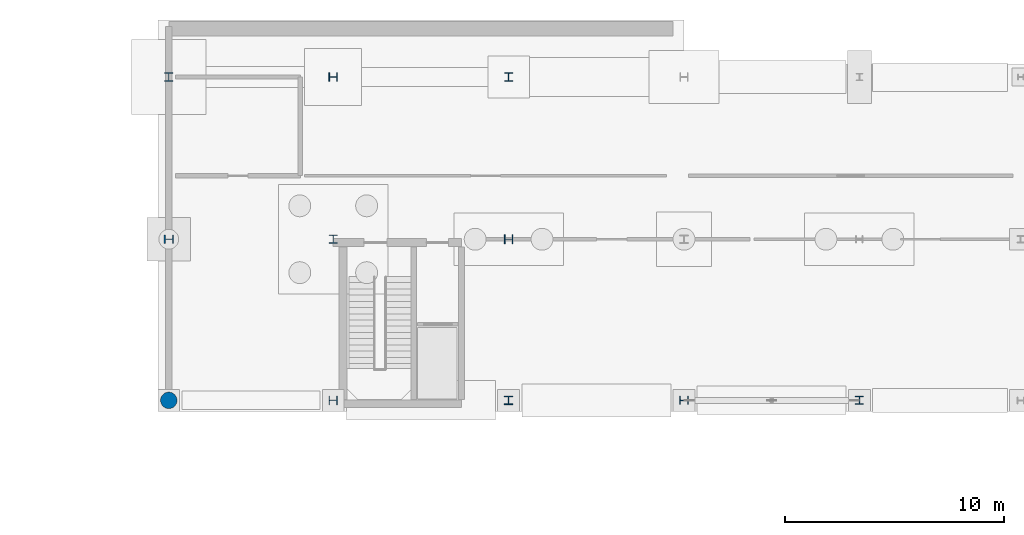
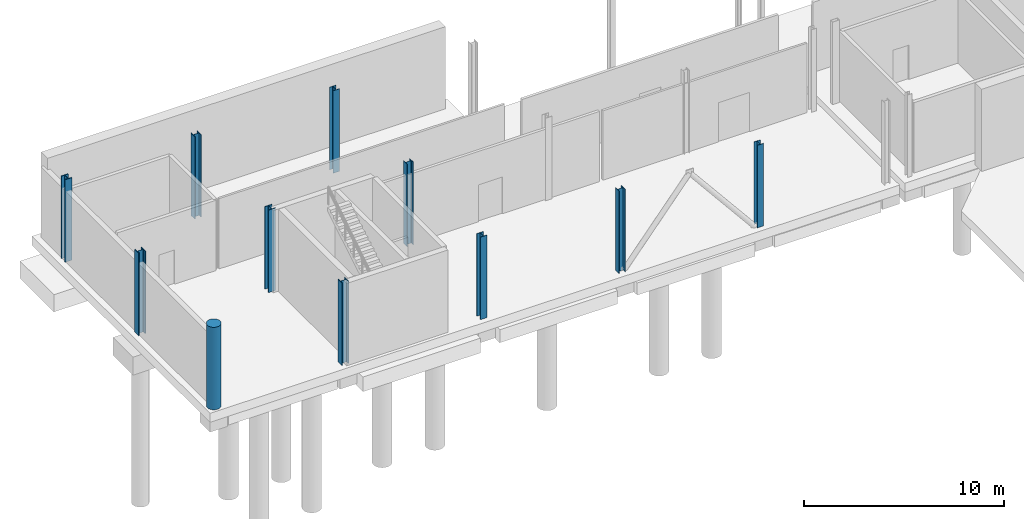
# One storey, part 13 of 33: 11 columns.
"""IFC4 building model written with IfcOpenShell, lengths in metres."""

from ifc_helpers import new_model, si_unit, direction, frame, origin, origin_2d, place, context, subcontext, project, spatial, circle, i_section, extrude, material, material_profile, profile_set, type_object, element, save


model = new_model("IFC4")

# Units and contexts
model_context = context("Model", 3, precision=1e-05, world=origin(), true_north=direction((0.0, 1.0)))
body_context = subcontext(model_context, "Body", "Model", "MODEL_VIEW")
ifc_project = project(units=[si_unit("LENGTHUNIT", "METRE"), si_unit("AREAUNIT", "SQUARE_METRE"), si_unit("VOLUMEUNIT", "CUBIC_METRE"), si_unit("PLANEANGLEUNIT", "RADIAN"), si_unit("MASSUNIT", "GRAM", prefix="KILO")], contexts=[model_context])

# Site, building, storey
site_placement = place(None, origin())
site = spatial("IfcSite", under=ifc_project, at=site_placement, CompositionType="ELEMENT")
building_placement = place(site_placement, origin())
building = spatial("IfcBuilding", under=site, at=building_placement, Name="Brisemont Oceanarium", CompositionType="ELEMENT")
storey_placement = place(building_placement, frame((0.0, 0.0, -5.39990234375)))
storey = spatial("IfcBuildingStorey", under=building, at=storey_placement, Name="B01", CompositionType="ELEMENT", Elevation=-5.39990234375)

# Columns
ifc_material_1 = material(Name="Concrete C40/50", Category="concrete")
ifc_material_profile_1 = material_profile(ifc_material_1, circle(Radius=0.375, at=origin_2d()), Name="RC-COL-D750")
ifc_profile_set_1 = profile_set([ifc_material_profile_1], Name="Concrete C40/50")
column_type_1 = type_object("IfcColumnType", Name="COL-RCD750", PredefinedType="COLUMN", material=ifc_profile_set_1)
column_1_placement = place(storey_placement, frame((16.5, 80.64990234375, 0.0), z_axis=(0.0, 0.0, 1.0), x_axis=(1.0, 0.0, 0.0)))
element("IfcColumn", 1, at=column_1_placement, inside=storey, type_object=column_type_1, Name="V7W B01 column (0,0)", PredefinedType="COLUMN", context=body_context, shape_type="SweptSolid", body=[
    extrude(circle(Radius=0.375, at=origin_2d()), origin(), (0.0, 0.0, 1.0), 5.039794921875),
])
ifc_material_2 = material(Name="Structural Steel ASTM A992 Gr.50", Category="steel")
ifc_material_profile_2 = material_profile(ifc_material_2, i_section(OverallWidth=0.373046875, OverallDepth=0.367919921875, WebThickness=0.014892578125, FlangeThickness=0.02392578125, FilletRadius=0.014892578125, at=origin_2d()), Name="W14X120")
ifc_profile_set_2 = profile_set([ifc_material_profile_2], Name="Structural Steel ASTM A992 Gr.50")
column_type_2 = type_object("IfcColumnType", Name="COL-W14X120", PredefinedType="COLUMN", material=ifc_profile_set_2)
column_2_placement = place(storey_placement, frame((40.0, 80.64990234375, 0.0), z_axis=(0.0, 0.0, 1.0), x_axis=(0.0, 1.0, 0.0)))
element("IfcColumn", 2, at=column_2_placement, inside=storey, type_object=column_type_2, Name="V7W B01 column (3,0)", PredefinedType="COLUMN", context=body_context, shape_type="SweptSolid", body=[
    extrude(i_section(OverallWidth=0.373046875, OverallDepth=0.367919921875, WebThickness=0.014892578125, FlangeThickness=0.02392578125, FilletRadius=0.014892578125, at=origin_2d()), origin(), (0.0, 0.0, 1.0), 5.039794921875),
])
ifc_material_3 = material(Name="Structural Steel ASTM A992 Gr.50", Category="steel")
ifc_material_profile_3 = material_profile(ifc_material_3, i_section(OverallWidth=0.3740234375, OverallDepth=0.3720703125, WebThickness=0.016357421875, FlangeThickness=0.026123046875, FilletRadius=0.014892578125, at=origin_2d()), Name="W14X132")
ifc_profile_set_3 = profile_set([ifc_material_profile_3], Name="Structural Steel ASTM A992 Gr.50")
column_type_3 = type_object("IfcColumnType", Name="COL-W14X132", PredefinedType="COLUMN", material=ifc_profile_set_3)
column_3_placement = place(storey_placement, frame((32.0, 95.39990234375, 0.0), z_axis=(0.0, 0.0, 1.0), x_axis=(1.0, 0.0, 0.0)))
element("IfcColumn", 3, at=column_3_placement, inside=storey, type_object=column_type_3, Name="V7W B01 column (2,2)", PredefinedType="COLUMN", context=body_context, shape_type="SweptSolid", body=[
    extrude(i_section(OverallWidth=0.3740234375, OverallDepth=0.3720703125, WebThickness=0.016357421875, FlangeThickness=0.026123046875, FilletRadius=0.014892578125, at=origin_2d()), origin(), (0.0, 0.0, 1.0), 5.039794921875),
])
ifc_material_4 = material(Name="Structural Steel ASTM A992 Gr.50", Category="steel")
ifc_material_profile_4 = material_profile(ifc_material_4, i_section(OverallWidth=0.39404296875, OverallDepth=0.3759765625, WebThickness=0.017333984375, FlangeThickness=0.027587890625, FilletRadius=0.014892578125, at=origin_2d()), Name="W14X145")
ifc_profile_set_4 = profile_set([ifc_material_profile_4], Name="Structural Steel ASTM A992 Gr.50")
column_type_4 = type_object("IfcColumnType", Name="COL-W14X145", PredefinedType="COLUMN", material=ifc_profile_set_4)
column_4_placement = place(storey_placement, frame((32.0, 88.0, 0.0), z_axis=(0.0, 0.0, 1.0), x_axis=(0.0, 1.0, 0.0)))
element("IfcColumn", 4, at=column_4_placement, inside=storey, type_object=column_type_4, Name="V7W B01 column (2,1)", PredefinedType="COLUMN", context=body_context, shape_type="SweptSolid", body=[
    extrude(i_section(OverallWidth=0.39404296875, OverallDepth=0.3759765625, WebThickness=0.017333984375, FlangeThickness=0.027587890625, FilletRadius=0.014892578125, at=origin_2d()), origin(), (0.0, 0.0, 1.0), 5.039794921875),
])
ifc_material_5 = material(Name="Structural Steel ASTM A992 Gr.50", Category="steel")
ifc_material_profile_5 = material_profile(ifc_material_5, i_section(OverallWidth=0.39501953125, OverallDepth=0.3798828125, WebThickness=0.018798828125, FlangeThickness=0.0302734375, FilletRadius=0.014892578125, at=origin_2d()), Name="W14X159")
ifc_profile_set_5 = profile_set([ifc_material_profile_5], Name="Structural Steel ASTM A992 Gr.50")
column_type_5 = type_object("IfcColumnType", Name="COL-W14X159", PredefinedType="COLUMN", material=ifc_profile_set_5)
column_5_placement = place(storey_placement, frame((32.0, 80.64990234375, 0.0), z_axis=(0.0, 0.0, 1.0), x_axis=(1.0, 0.0, 0.0)))
element("IfcColumn", 5, at=column_5_placement, inside=storey, type_object=column_type_5, Name="V7W B01 column (2,0)", PredefinedType="COLUMN", context=body_context, shape_type="SweptSolid", body=[
    extrude(i_section(OverallWidth=0.39501953125, OverallDepth=0.3798828125, WebThickness=0.018798828125, FlangeThickness=0.0302734375, FilletRadius=0.014892578125, at=origin_2d()), origin(), (0.0, 0.0, 1.0), 5.039794921875),
])
ifc_material_6 = material(Name="Structural Steel ASTM A992 Gr.50", Category="steel")
ifc_material_profile_6 = material_profile(ifc_material_6, i_section(OverallWidth=0.39892578125, OverallDepth=0.385986328125, WebThickness=0.02099609375, FlangeThickness=0.033203125, FilletRadius=0.014892578125, at=origin_2d()), Name="W14X176")
ifc_profile_set_6 = profile_set([ifc_material_profile_6], Name="Structural Steel ASTM A992 Gr.50")
column_type_6 = type_object("IfcColumnType", Name="COL-W14X176", PredefinedType="COLUMN", material=ifc_profile_set_6)
column_6_placement = place(storey_placement, frame((24.0, 95.39990234375, 0.0), z_axis=(0.0, 0.0, 1.0), x_axis=(0.0, 1.0, 0.0)))
element("IfcColumn", 6, at=column_6_placement, inside=storey, type_object=column_type_6, Name="V7W B01 column (1,2)", PredefinedType="COLUMN", context=body_context, shape_type="SweptSolid", body=[
    extrude(i_section(OverallWidth=0.39892578125, OverallDepth=0.385986328125, WebThickness=0.02099609375, FlangeThickness=0.033203125, FilletRadius=0.014892578125, at=origin_2d()), origin(), (0.0, 0.0, 1.0), 5.039794921875),
])
ifc_material_7 = material(Name="Structural Steel ASTM A992 Gr.50", Category="steel")
ifc_material_profile_7 = material_profile(ifc_material_7, i_section(OverallWidth=0.39990234375, OverallDepth=0.39306640625, WebThickness=0.022705078125, FlangeThickness=0.03662109375, FilletRadius=0.014892578125, at=origin_2d()), Name="W14X193")
ifc_profile_set_7 = profile_set([ifc_material_profile_7], Name="Structural Steel ASTM A992 Gr.50")
column_type_7 = type_object("IfcColumnType", Name="COL-W14X193", PredefinedType="COLUMN", material=ifc_profile_set_7)
column_7_placement = place(storey_placement, frame((24.0, 88.0, 0.0), z_axis=(0.0, 0.0, 1.0), x_axis=(1.0, 0.0, 0.0)))
element("IfcColumn", 7, at=column_7_placement, inside=storey, type_object=column_type_7, Name="V7W B01 column (1,1)", PredefinedType="COLUMN", context=body_context, shape_type="SweptSolid", body=[
    extrude(i_section(OverallWidth=0.39990234375, OverallDepth=0.39306640625, WebThickness=0.022705078125, FlangeThickness=0.03662109375, FilletRadius=0.014892578125, at=origin_2d()), origin(), (0.0, 0.0, 1.0), 5.039794921875),
])
ifc_material_8 = material(Name="Structural Steel ASTM A992 Gr.50", Category="steel")
ifc_material_profile_8 = material_profile(ifc_material_8, i_section(OverallWidth=0.40087890625, OverallDepth=0.39892578125, WebThickness=0.02490234375, FlangeThickness=0.03955078125, FilletRadius=0.014892578125, at=origin_2d()), Name="W14X211")
ifc_profile_set_8 = profile_set([ifc_material_profile_8], Name="Structural Steel ASTM A992 Gr.50")
column_type_8 = type_object("IfcColumnType", Name="COL-W14X211", PredefinedType="COLUMN", material=ifc_profile_set_8)
column_8_placement = place(storey_placement, frame((24.0, 80.64990234375, 0.0), z_axis=(0.0, 0.0, 1.0), x_axis=(0.0, 1.0, 0.0)))
element("IfcColumn", 8, at=column_8_placement, inside=storey, type_object=column_type_8, Name="V7W B01 column (1,0)", PredefinedType="COLUMN", context=body_context, shape_type="SweptSolid", body=[
    extrude(i_section(OverallWidth=0.40087890625, OverallDepth=0.39892578125, WebThickness=0.02490234375, FlangeThickness=0.03955078125, FilletRadius=0.014892578125, at=origin_2d()), origin(), (0.0, 0.0, 1.0), 5.039794921875),
])
ifc_material_9 = material(Name="Structural Steel ASTM A992 Gr.50", Category="steel")
ifc_material_profile_9 = material_profile(ifc_material_9, i_section(OverallWidth=0.404052734375, OverallDepth=0.406982421875, WebThickness=0.027099609375, FlangeThickness=0.043701171875, FilletRadius=0.014892578125, at=origin_2d()), Name="W14X233")
ifc_profile_set_9 = profile_set([ifc_material_profile_9], Name="Structural Steel ASTM A992 Gr.50")
column_type_9 = type_object("IfcColumnType", Name="COL-W14X233", PredefinedType="COLUMN", material=ifc_profile_set_9)
column_9_placement = place(storey_placement, frame((16.5, 95.39990234375, 0.0), z_axis=(0.0, 0.0, 1.0), x_axis=(1.0, 0.0, 0.0)))
element("IfcColumn", 9, at=column_9_placement, inside=storey, type_object=column_type_9, Name="V7W B01 column (0,2)", PredefinedType="COLUMN", context=body_context, shape_type="SweptSolid", body=[
    extrude(i_section(OverallWidth=0.404052734375, OverallDepth=0.406982421875, WebThickness=0.027099609375, FlangeThickness=0.043701171875, FilletRadius=0.014892578125, at=origin_2d()), origin(), (0.0, 0.0, 1.0), 5.039794921875),
])
ifc_material_10 = material(Name="Structural Steel ASTM A992 Gr.50", Category="steel")
ifc_material_profile_10 = material_profile(ifc_material_10, i_section(OverallWidth=0.406005859375, OverallDepth=0.416015625, WebThickness=0.02978515625, FlangeThickness=0.048095703125, FilletRadius=0.014892578125, at=origin_2d()), Name="W14X257")
ifc_profile_set_10 = profile_set([ifc_material_profile_10], Name="Structural Steel ASTM A992 Gr.50")
column_type_10 = type_object("IfcColumnType", Name="COL-W14X257", PredefinedType="COLUMN", material=ifc_profile_set_10)
column_10_placement = place(storey_placement, frame((16.5, 88.0, 0.0), z_axis=(0.0, 0.0, 1.0), x_axis=(0.0, 1.0, 0.0)))
element("IfcColumn", 10, at=column_10_placement, inside=storey, type_object=column_type_10, Name="V7W B01 column (0,1)", PredefinedType="COLUMN", context=body_context, shape_type="SweptSolid", body=[
    extrude(i_section(OverallWidth=0.406005859375, OverallDepth=0.416015625, WebThickness=0.02978515625, FlangeThickness=0.048095703125, FilletRadius=0.014892578125, at=origin_2d()), origin(), (0.0, 0.0, 1.0), 5.039794921875),
])
ifc_material_11 = material(Name="Structural Steel ASTM A992 Gr.50", Category="steel")
ifc_material_profile_11 = material_profile(ifc_material_11, i_section(OverallWidth=0.367919921875, OverallDepth=0.35595703125, WebThickness=0.01123046875, FlangeThickness=0.01806640625, FilletRadius=0.014892578125, at=origin_2d()), Name="W14X90")
ifc_profile_set_11 = profile_set([ifc_material_profile_11], Name="Structural Steel ASTM A992 Gr.50")
column_type_11 = type_object("IfcColumnType", Name="COL-W14X90", PredefinedType="COLUMN", material=ifc_profile_set_11)
column_11_placement = place(storey_placement, frame((48.0, 80.64990234375, 0.0), z_axis=(0.0, 0.0, 1.0), x_axis=(1.0, 0.0, 0.0)))
element("IfcColumn", 11, at=column_11_placement, inside=storey, type_object=column_type_11, Name="V7W B01 column (4,0)", PredefinedType="COLUMN", context=body_context, shape_type="SweptSolid", body=[
    extrude(i_section(OverallWidth=0.367919921875, OverallDepth=0.35595703125, WebThickness=0.01123046875, FlangeThickness=0.01806640625, FilletRadius=0.014892578125, at=origin_2d()), origin(), (0.0, 0.0, 1.0), 5.039794921875),
])

save(model, "model.ifc")
